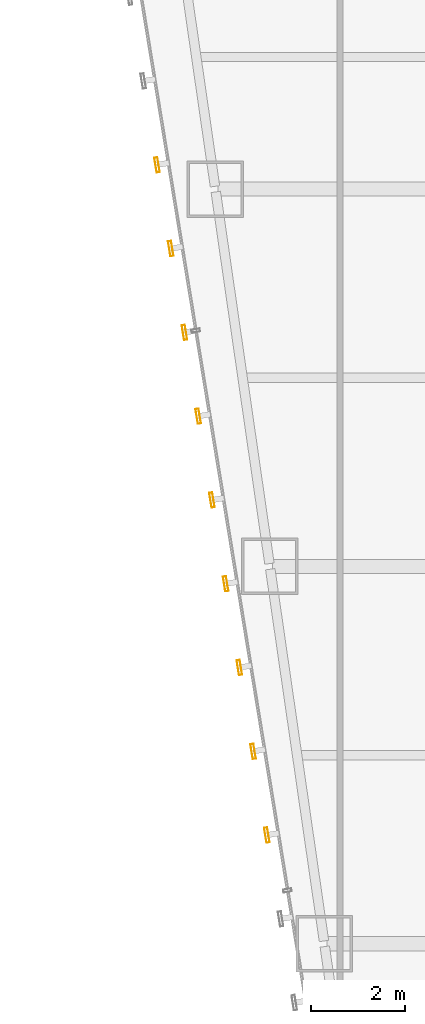
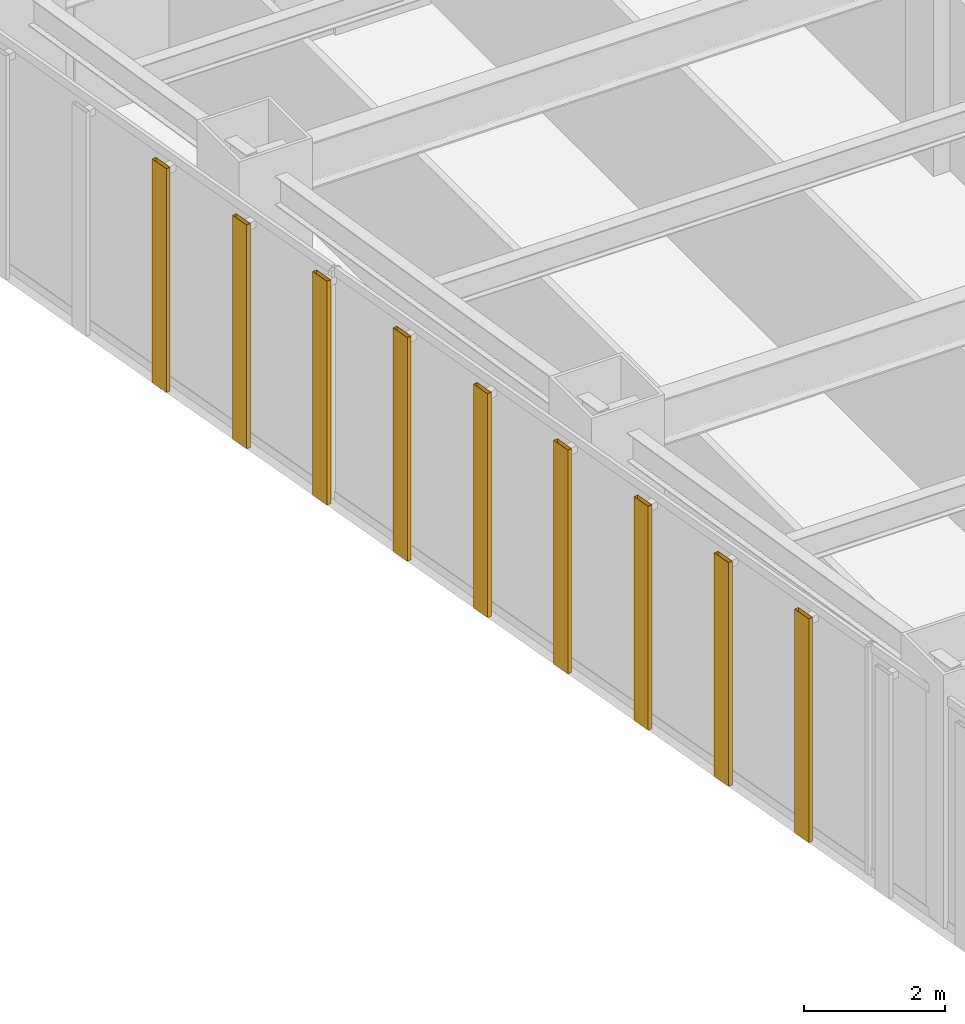
# One storey, part 43 of 47: 9 shading devices.
"""IFC4 building model written with IfcOpenShell, lengths in metres."""

from ifc_helpers import new_model, si_unit, direction, frame, origin, origin_2d, place, context, subcontext, project, spatial, hollow_rectangle, extrude, material, material_profile, profile_set, type_object, element, save


model = new_model("IFC4")

# Units and contexts
model_context = context("Model", 3, precision=1e-05, world=origin(), true_north=direction((0.0, 1.0)))
body_context = subcontext(model_context, "Body", "Model", "MODEL_VIEW")
ifc_project = project(units=[si_unit("LENGTHUNIT", "METRE"), si_unit("AREAUNIT", "SQUARE_METRE"), si_unit("VOLUMEUNIT", "CUBIC_METRE"), si_unit("PLANEANGLEUNIT", "RADIAN"), si_unit("MASSUNIT", "GRAM", prefix="KILO")], contexts=[model_context])

# Site, building, storey
site_placement = place(None, origin())
site = spatial("IfcSite", under=ifc_project, at=site_placement, CompositionType="ELEMENT")
building_placement = place(site_placement, origin())
building = spatial("IfcBuilding", under=site, at=building_placement, Name="Saevonmaru Cultural Tower", CompositionType="ELEMENT")
storey_placement = place(building_placement, frame((0.0, 0.0, 82.39990234375)))
storey = spatial("IfcBuildingStorey", under=building, at=storey_placement, Name="L17", CompositionType="ELEMENT", Elevation=82.39990234375)

# Shading devices
ifc_material = material(Name="Satin Bronze Anodised Aluminium", Category="aluminium")
ifc_material_profile = material_profile(ifc_material, hollow_rectangle(XDim=0.070068359375, YDim=0.320068359375, WallThickness=0.0048828125, at=origin_2d()), Name="FIN-320x70")
ifc_profile_set = profile_set([ifc_material_profile], Name="Satin Bronze Anodised Aluminium")
shading_device_type = type_object("IfcShadingDeviceType", Name="SHD-FIN-320", PredefinedType="JALOUSIE", material=ifc_profile_set)
for number, where, z_axis, x_axis, name in (
    (1, (7.0810546875, 32.513916015625, 0.050048828125), (0.0, 0.0, 1.0), (-0.986827496189, -0.161776057456, 0.0), "L17 Art Deco Sawtooth Bronze Fin E12-12"),
    (2, (7.3720703125, 30.737548828125, 0.050048828125), (0.0, 0.0, 1.0), (-0.986827496189, -0.161776057456, 0.0), "L17 Art Deco Sawtooth Bronze Fin E12-13"),
    (3, (7.6630859375, 28.961181640625, 0.050048828125), (0.0, 0.0, 1.0), (-0.986827496189, -0.161776057456, 0.0), "L17 Art Deco Sawtooth Bronze Fin E12-14"),
    (4, (7.9541015625, 27.184814453125, 0.050048828125), (0.0, 0.0, 1.0), (-0.986827496189, -0.161776057456, 0.0), "L17 Art Deco Sawtooth Bronze Fin E12-15"),
    (5, (8.245361328125, 25.40869140625, 0.050048828125), (0.0, 0.0, 1.0), (-0.986827496189, -0.161776057456, 0.0), "L17 Art Deco Sawtooth Bronze Fin E12-16"),
    (6, (8.536376953125, 23.63232421875, 0.050048828125), (0.0, 0.0, 1.0), (-0.986827496189, -0.161776057456, 0.0), "L17 Art Deco Sawtooth Bronze Fin E12-17"),
    (7, (8.827392578125, 21.85595703125, 0.050048828125), (0.0, 0.0, 1.0), (-0.986827496189, -0.161776057456, 0.0), "L17 Art Deco Sawtooth Bronze Fin E12-18"),
    (8, (9.118408203125, 20.07958984375, 0.050048828125), (0.0, 0.0, 1.0), (-0.986827496189, -0.161776057456, 0.0), "L17 Art Deco Sawtooth Bronze Fin E12-19"),
    (9, (9.40966796875, 18.30322265625, 0.050048828125), (0.0, 0.0, 1.0), (-0.986827496189, -0.161776057456, 0.0), "L17 Art Deco Sawtooth Bronze Fin E12-20"),
):
    element("IfcShadingDevice", number, at=place(storey_placement, frame(where, z_axis=z_axis, x_axis=x_axis)), inside=storey, type_object=shading_device_type, Name=name, PredefinedType="JALOUSIE", context=body_context, shape_type="SweptSolid", body=[
        extrude(hollow_rectangle(XDim=0.070068359375, YDim=0.320068359375, WallThickness=0.0048828125, at=origin_2d()), origin(), (0.0, 0.0, 1.0), 3.880126953125),
    ])

save(model, "model.ifc")
